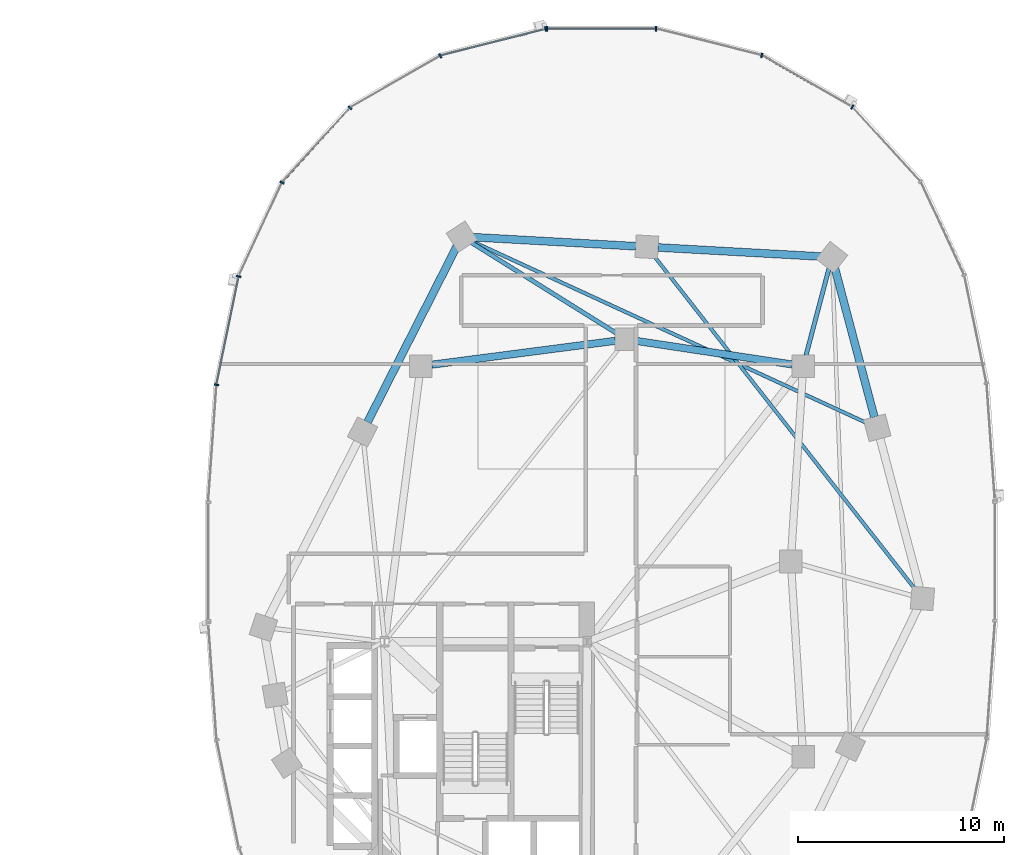
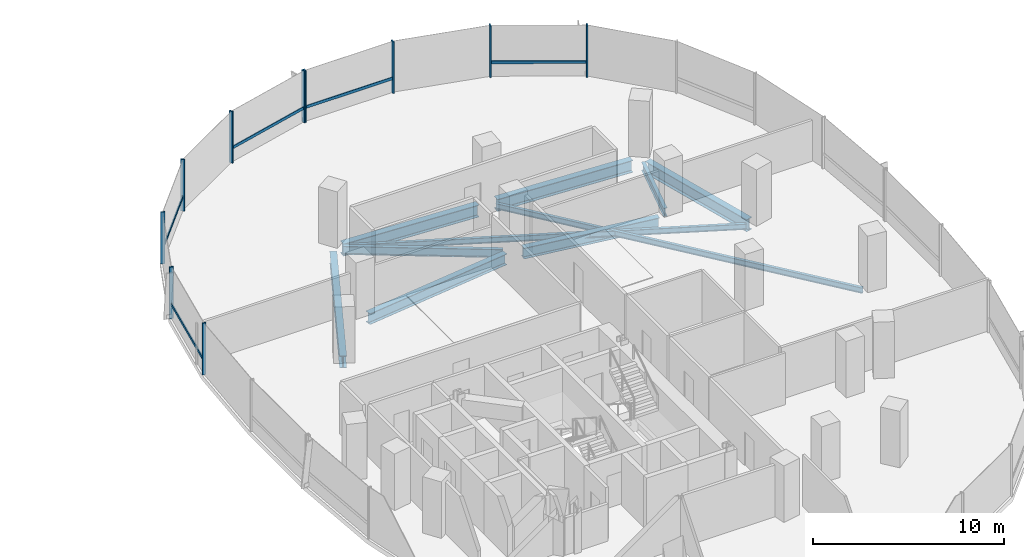
# One storey, part 7 of 21: 15 members, 10 beams, 2 elements without a shape of their own.
"""IFC4 building model written with IfcOpenShell, lengths in metres."""

from ifc_helpers import new_model, si_unit, direction, frame, origin, origin_2d, place, context, subcontext, project, spatial, rectangle, i_section, extrude, material, material_profile, profile_set, type_object, element, aggregate, save


model = new_model("IFC4")

# Units and contexts
model_context = context("Model", 3, precision=1e-05, world=origin(), true_north=direction((0.0, 1.0)))
body_context = subcontext(model_context, "Body", "Model", "MODEL_VIEW")
ifc_project = project(units=[si_unit("LENGTHUNIT", "METRE"), si_unit("AREAUNIT", "SQUARE_METRE"), si_unit("VOLUMEUNIT", "CUBIC_METRE"), si_unit("PLANEANGLEUNIT", "RADIAN"), si_unit("MASSUNIT", "GRAM", prefix="KILO"), si_unit("THERMODYNAMICTEMPERATUREUNIT", "KELVIN"), si_unit("POWERUNIT", "WATT")], contexts=[model_context])

# Site, building, storey
site_placement = place(None, origin())
site = spatial("IfcSite", under=ifc_project, at=site_placement, CompositionType="ELEMENT")
building_placement = place(site_placement, origin())
building = spatial("IfcBuilding", under=site, at=building_placement, Name="Cundina Bronze Exchange", CompositionType="ELEMENT")
storey_placement = place(building_placement, frame((0.0, 0.0, 103.39990234375)))
storey = spatial("IfcBuildingStorey", under=building, at=storey_placement, Name="L26", CompositionType="ELEMENT", Elevation=103.39990234375)

# Beams
ifc_material_1 = material(Name="Steel ASTM A992 Grade 50", Category="steel")
ifc_material_profile_1 = material_profile(ifc_material_1, i_section(OverallWidth=0.2099609375, OverallDepth=0.532958984375, WebThickness=0.01025390625, FlangeThickness=0.015625, FilletRadius=0.013916015625, at=origin_2d()), Name="W21X62", Category="steel")
ifc_profile_set_1 = profile_set([ifc_material_profile_1], Name="Steel ASTM A992 Grade 50")
beam_type_1 = type_object("IfcBeamType", Name="BM-FLR-W21B", PredefinedType="BEAM", material=ifc_profile_set_1)
beam_1_placement = place(storey_placement, frame((41.9375, 10.020263671875, -0.56640625), z_axis=(0.255357891402, 0.966846599673, 0.0), x_axis=(-0.966846599673, 0.255357891402, 0.0)))
element("IfcBeam", 1, at=beam_1_placement, inside=storey, type_object=beam_type_1, Name="L26 Leg E Chordal Floor Beam 10", PredefinedType="BEAM", context=body_context, shape_type="SweptSolid", body=[
    extrude(i_section(OverallWidth=0.2099609375, OverallDepth=0.532958984375, WebThickness=0.01025390625, FlangeThickness=0.015625, FilletRadius=0.013916015625, at=origin_2d()), origin(), (0.0, 0.0, 1.0), 4.405517578125),
])
beam_2_placement = place(storey_placement, frame((32.743896484375, 11.085205078125, -0.56640625), z_axis=(-0.848003227047, 0.529991063055, 0.0), x_axis=(-0.529991063055, -0.848003227047, 0.0)))
element("IfcBeam", 2, at=beam_2_placement, inside=storey, type_object=beam_type_1, Name="L26 Leg E Chordal Floor Beam 12", PredefinedType="BEAM", context=body_context, shape_type="SweptSolid", body=[
    extrude(i_section(OverallWidth=0.2099609375, OverallDepth=0.532958984375, WebThickness=0.01025390625, FlangeThickness=0.015625, FilletRadius=0.013916015625, at=origin_2d()), origin(), (0.0, 0.0, 1.0), 8.358154296875),
])
ifc_material_profile_2 = material_profile(ifc_material_1, i_section(OverallWidth=0.172119140625, OverallDepth=0.35791015625, WebThickness=0.0078125, FlangeThickness=0.01318359375, FilletRadius=0.010009765625, at=origin_2d()), Name="W14X38", Category="steel")
ifc_profile_set_2 = profile_set([ifc_material_profile_2], Name="Steel ASTM A992 Grade 50")
beam_type_2 = type_object("IfcBeamType", Name="BM-JST-W14", PredefinedType="JOIST", material=ifc_profile_set_2)
beam_3_placement = place(storey_placement, frame((47.268310546875, -1.37646484375, -0.47900390625), z_axis=(-0.616815348306, 0.787107887201, 0.0), x_axis=(-0.787107887201, -0.616815348306, 0.0)))
element("IfcBeam", 3, at=beam_3_placement, inside=storey, type_object=beam_type_2, Name="L26 Leg E Lobe Floor Joist 08-11", PredefinedType="JOIST", context=body_context, shape_type="SweptSolid", body=[
    extrude(i_section(OverallWidth=0.172119140625, OverallDepth=0.35791015625, WebThickness=0.0078125, FlangeThickness=0.01318359375, FilletRadius=0.010009765625, at=origin_2d()), origin(), (0.0, 0.0, 1.0), 20.64892578125),
])
beam_4_placement = place(storey_placement, frame((44.911376953125, 6.72509765625, -0.47900390625), z_axis=(-0.908357076874, 0.41819543385, 0.0), x_axis=(-0.41819543385, -0.908357076874, 0.0)))
element("IfcBeam", 4, at=beam_4_placement, inside=storey, type_object=beam_type_2, Name="L26 Leg E Lobe Floor Joist 09-12", PredefinedType="JOIST", context=body_context, shape_type="SweptSolid", body=[
    extrude(i_section(OverallWidth=0.172119140625, OverallDepth=0.35791015625, WebThickness=0.0078125, FlangeThickness=0.01318359375, FilletRadius=0.010009765625, at=origin_2d()), origin(), (0.0, 0.0, 1.0), 21.162109375),
])
ifc_material_profile_3 = material_profile(ifc_material_1, i_section(OverallWidth=0.35498046875, OverallDepth=0.695068359375, WebThickness=0.015380859375, FlangeThickness=0.02490234375, FilletRadius=0.01806640625, at=origin_2d()), Name="W27X146", Category="steel")
ifc_profile_set_3 = profile_set([ifc_material_profile_3], Name="Steel ASTM A992 Grade 50")
beam_type_3 = type_object("IfcBeamType", Name="BM-RING-W27", PredefinedType="USERDEFINED", material=ifc_profile_set_3)
beam_5_placement = place(storey_placement, frame((41.26806640625, 9.580322265625, -0.6474609375), z_axis=(-0.988767489563, 0.149461873341, 0.0), x_axis=(-0.149461873341, -0.988767489563, 0.0)))
element("IfcBeam", 5, at=beam_5_placement, inside=storey, type_object=beam_type_3, Name="L26 E Inner Structural Ring Girder 05", ObjectType="GIRDER", PredefinedType="USERDEFINED", context=body_context, shape_type="SweptSolid", body=[
    extrude(i_section(OverallWidth=0.35498046875, OverallDepth=0.695068359375, WebThickness=0.015380859375, FlangeThickness=0.02490234375, FilletRadius=0.01806640625, at=origin_2d()), origin(), (0.0, 0.0, 1.0), 7.621826171875),
])
beam_6_placement = place(storey_placement, frame((32.66650390625, 10.730712890625, -0.6474609375), z_axis=(-0.991654577907, -0.128923225666, 0.0), x_axis=(0.128923225666, -0.991654577907, 0.0)))
element("IfcBeam", 6, at=beam_6_placement, inside=storey, type_object=beam_type_3, Name="L26 E Inner Structural Ring Girder 06", ObjectType="GIRDER", PredefinedType="USERDEFINED", context=body_context, shape_type="SweptSolid", body=[
    extrude(i_section(OverallWidth=0.35498046875, OverallDepth=0.695068359375, WebThickness=0.015380859375, FlangeThickness=0.02490234375, FilletRadius=0.01806640625, at=origin_2d()), origin(), (0.0, 0.0, 1.0), 9.00830078125),
])
ifc_material_profile_4 = material_profile(ifc_material_1, i_section(OverallWidth=0.381103515625, OverallDepth=0.77294921875, WebThickness=0.0166015625, FlangeThickness=0.027099609375, FilletRadius=0.01904296875, at=origin_2d()), Name="W30X173", Category="steel")
ifc_profile_set_4 = profile_set([ifc_material_profile_4], Name="Steel ASTM A992 Grade 50")
beam_type_4 = type_object("IfcBeamType", Name="BM-RING-W30", PredefinedType="USERDEFINED", material=ifc_profile_set_4)
beam_7_placement = place(storey_placement, frame((45.26220703125, 7.02001953125, -0.6865234375), z_axis=(-0.256209719931, 0.966621218168, 0.0), x_axis=(-0.966621218168, -0.256209719931, 0.0)))
element("IfcBeam", 7, at=beam_7_placement, inside=storey, type_object=beam_type_4, Name="L26 E Perimeter Ring Girder 09", ObjectType="GIRDER", PredefinedType="USERDEFINED", context=body_context, shape_type="SweptSolid", body=[
    extrude(i_section(OverallWidth=0.381103515625, OverallDepth=0.77294921875, WebThickness=0.0166015625, FlangeThickness=0.027099609375, FilletRadius=0.01904296875, at=origin_2d()), origin(), (0.0, 0.0, 1.0), 7.5107421875),
])
for number, where, z_axis, x_axis, name in (
    (8, (42.662841796875, 14.829833984375, -0.6865234375), (-0.99845950136, 0.055485350721, 0.0), (-0.055485350721, -0.99845950136, 0.0), "L26 E Perimeter Ring Girder 10"),
    (9, (33.662841796875, 15.329833984375, -0.6865234375), (-0.99845950136, 0.055485350721, 0.0), (-0.055485350721, -0.99845950136, 0.0), "L26 E Perimeter Ring Girder 11"),
):
    element("IfcBeam", number, at=place(storey_placement, frame(where, z_axis=z_axis, x_axis=x_axis)), inside=storey, type_object=beam_type_4, Name=name, ObjectType="GIRDER", PredefinedType="USERDEFINED", context=body_context, shape_type="SweptSolid", body=[
        extrude(i_section(OverallWidth=0.381103515625, OverallDepth=0.77294921875, WebThickness=0.0166015625, FlangeThickness=0.027099609375, FilletRadius=0.01904296875, at=origin_2d()), origin(), (0.0, 0.0, 1.0), 7.937744140625),
    ])
beam_8_placement = place(storey_placement, frame((24.956298828125, 15.3203125, -0.6865234375), z_axis=(-0.452832332744, -0.891595692241, 0.0), x_axis=(0.891595692241, -0.452832332744, 0.0)))
element("IfcBeam", 10, at=beam_8_placement, inside=storey, type_object=beam_type_4, Name="L26 E Perimeter Ring Girder 12", ObjectType="GIRDER", PredefinedType="USERDEFINED", context=body_context, shape_type="SweptSolid", body=[
    extrude(i_section(OverallWidth=0.381103515625, OverallDepth=0.77294921875, WebThickness=0.0166015625, FlangeThickness=0.027099609375, FilletRadius=0.01904296875, at=origin_2d()), origin(), (0.0, 0.0, 1.0), 9.578857421875),
])

# Curtain wall, members
ifc_material_2 = material(Name="Anodised Bronze Aluminium 6063-T6", Category="aluminium")
curtain_wall_type = type_object("IfcCurtainWallType", Name="CWS-TRD-MID", PredefinedType="NOTDEFINED", material=ifc_material_2)
curtain_wall_1_placement = place(storey_placement, origin())
curtain_wall_1 = element("IfcCurtainWall", 11, at=curtain_wall_1_placement, inside=storey, type_object=curtain_wall_type, Name="L26 CW-03 Curtain Wall Run CWR-L26-E1", PredefinedType="NOTDEFINED")
ifc_material_profile_5 = material_profile(ifc_material_2, rectangle(XDim=0.074951171875, YDim=0.219970703125, at=origin_2d()), Name="AL75X220", Category="aluminium")
ifc_profile_set_5 = profile_set([ifc_material_profile_5], Name="Anodised Bronze Aluminium 6063-T6")
member_type_1 = type_object("IfcMemberType", Name="CWM-MUL-220", PredefinedType="MULLION", material=ifc_profile_set_5)
member_1_placement = place(storey_placement, frame((44.189697265625, 22.097412109375, 0.0), z_axis=(0.0, 0.0, 1.0), x_axis=(-0.867070701164, 0.498185105339, 0.0)))
member_1 = element("IfcMember", 12, at=member_1_placement, type_object=member_type_1, Name="CW-03 Mullion 5", PredefinedType="MULLION", context=body_context, shape_type="SweptSolid", body=[
    extrude(rectangle(XDim=0.074951171875, YDim=0.219970703125, at=origin_2d()), origin(), (0.0, 0.0, 1.0), 3.300048828125),
])
member_2_placement = place(storey_placement, frame((39.78515625, 24.61669921875, 0.0), z_axis=(0.0, 0.0, 1.0), x_axis=(-0.969488149345, 0.245138182011, 0.0)))
member_2 = element("IfcMember", 13, at=member_2_placement, type_object=member_type_1, Name="CW-03 Mullion 6", PredefinedType="MULLION", context=body_context, shape_type="SweptSolid", body=[
    extrude(rectangle(XDim=0.074951171875, YDim=0.219970703125, at=origin_2d()), origin(), (0.0, 0.0, 1.0), 3.300048828125),
])
member_3_placement = place(storey_placement, frame((34.654541015625, 25.905029296875, 0.0), z_axis=(0.0, 0.0, 1.0), x_axis=(-1.0, 0.0, 0.0)))
member_3 = element("IfcMember", 14, at=member_3_placement, type_object=member_type_1, Name="CW-03 Mullion 7", PredefinedType="MULLION", context=body_context, shape_type="SweptSolid", body=[
    extrude(rectangle(XDim=0.074951171875, YDim=0.219970703125, at=origin_2d()), origin(), (0.0, 0.0, 1.0), 3.300048828125),
])
member_4_placement = place(storey_placement, frame((29.345458984375, 25.905029296875, 0.0), z_axis=(0.0, 0.0, 1.0), x_axis=(-1.0, 0.0, 0.0)))
member_4 = element("IfcMember", 15, at=member_4_placement, type_object=member_type_1, Name="CW-03 End Mullion", PredefinedType="MULLION", context=body_context, shape_type="SweptSolid", body=[
    extrude(rectangle(XDim=0.074951171875, YDim=0.219970703125, at=origin_2d()), origin(), (0.0, 0.0, 1.0), 3.300048828125),
])

curtain_wall_2_placement = place(storey_placement, origin())
curtain_wall_2 = element("IfcCurtainWall", 16, at=curtain_wall_2_placement, inside=storey, type_object=curtain_wall_type, Name="L26 CW-03 Curtain Wall Run CWR-L26-E2", PredefinedType="NOTDEFINED")
member_5_placement = place(storey_placement, frame((29.27392578125, 25.89599609375, 0.0), z_axis=(0.0, 0.0, 1.0), x_axis=(-0.969488149345, -0.245138182011, 0.0)))
member_5 = element("IfcMember", 17, at=member_5_placement, type_object=member_type_1, Name="CW-03 Mullion 1", PredefinedType="MULLION", context=body_context, shape_type="SweptSolid", body=[
    extrude(rectangle(XDim=0.074951171875, YDim=0.219970703125, at=origin_2d()), origin(), (0.0, 0.0, 1.0), 3.300048828125),
])
member_6_placement = place(storey_placement, frame((24.151123046875, 24.591064453125, 0.0), z_axis=(0.0, 0.0, 1.0), x_axis=(-0.867070701164, -0.498185105339, 0.0)))
member_6 = element("IfcMember", 18, at=member_6_placement, type_object=member_type_1, Name="CW-03 Mullion 2", PredefinedType="MULLION", context=body_context, shape_type="SweptSolid", body=[
    extrude(rectangle(XDim=0.074951171875, YDim=0.219970703125, at=origin_2d()), origin(), (0.0, 0.0, 1.0), 3.300048828125),
])
member_7_placement = place(storey_placement, frame((19.760498046875, 22.0576171875, 0.0), z_axis=(0.0, 0.0, 1.0), x_axis=(-0.674302387584, -0.738455340626, 0.0)))
member_7 = element("IfcMember", 19, at=member_7_placement, type_object=member_type_1, Name="CW-03 Mullion 3", PredefinedType="MULLION", context=body_context, shape_type="SweptSolid", body=[
    extrude(rectangle(XDim=0.074951171875, YDim=0.219970703125, at=origin_2d()), origin(), (0.0, 0.0, 1.0), 3.300048828125),
])
member_8_placement = place(storey_placement, frame((16.455810546875, 18.423583984375, 0.0), z_axis=(0.0, 0.0, 1.0), x_axis=(-0.42087749791, -0.907117485088, 0.0)))
member_8 = element("IfcMember", 20, at=member_8_placement, type_object=member_type_1, Name="CW-03 Mullion 4", PredefinedType="MULLION", context=body_context, shape_type="SweptSolid", body=[
    extrude(rectangle(XDim=0.074951171875, YDim=0.219970703125, at=origin_2d()), origin(), (0.0, 0.0, 1.0), 3.300048828125),
])
member_9_placement = place(storey_placement, frame((14.348876953125, 13.861328125, 0.0), z_axis=(0.0, 0.0, 1.0), x_axis=(-0.201419845156, -0.979505000486, 0.0)))
member_9 = element("IfcMember", 21, at=member_9_placement, type_object=member_type_1, Name="CW-03 Mullion 5", PredefinedType="MULLION", context=body_context, shape_type="SweptSolid", body=[
    extrude(rectangle(XDim=0.074951171875, YDim=0.219970703125, at=origin_2d()), origin(), (0.0, 0.0, 1.0), 3.300048828125),
])
member_10_placement = place(storey_placement, frame((13.27099609375, 8.591552734375, 0.0), z_axis=(0.0, 0.0, 1.0), x_axis=(-0.070278787473, -0.997527389113, 0.0)))
member_10 = element("IfcMember", 22, at=member_10_placement, type_object=member_type_1, Name="CW-03 Mullion 6", PredefinedType="MULLION", context=body_context, shape_type="SweptSolid", body=[
    extrude(rectangle(XDim=0.074951171875, YDim=0.219970703125, at=origin_2d()), origin(), (0.0, 0.0, 1.0), 3.300048828125),
])

# Member
ifc_material_profile_6 = material_profile(ifc_material_2, rectangle(XDim=0.070068359375, YDim=0.179931640625, at=origin_2d()), Name="AL70X180", Category="aluminium")
ifc_profile_set_6 = profile_set([ifc_material_profile_6], Name="Anodised Bronze Aluminium 6063-T6")
member_type_2 = type_object("IfcMemberType", Name="CWM-TRN-180", PredefinedType="USERDEFINED", material=ifc_profile_set_6)
member_11_placement = place(storey_placement, frame((44.154052734375, 22.117919921875, 0.920166015625), z_axis=(-0.867097475651, 0.498138502546, 0.0), x_axis=(-0.498138502546, -0.867097475651, 0.0)))
member_11 = element("IfcMember", 23, at=member_11_placement, type_object=member_type_2, Name="CW-03 Spandrel Transom 5", ObjectType="TRANSOM", PredefinedType="USERDEFINED", context=body_context, shape_type="SweptSolid", body=[
    extrude(rectangle(XDim=0.070068359375, YDim=0.179931640625, at=origin_2d()), origin(), (0.0, 0.0, 1.0), 5.00634765625),
])

member_12_placement = place(storey_placement, frame((34.61328125, 25.905029296875, 0.920166015625), z_axis=(-1.0, 0.0, 0.0), x_axis=(0.0, -1.0, 0.0)))
member_12 = element("IfcMember", 24, at=member_12_placement, type_object=member_type_2, Name="CW-03 Spandrel Transom 7", ObjectType="TRANSOM", PredefinedType="USERDEFINED", context=body_context, shape_type="SweptSolid", body=[
    extrude(rectangle(XDim=0.070068359375, YDim=0.179931640625, at=origin_2d()), origin(), (0.0, 0.0, 1.0), 5.2265625),
])

aggregate(curtain_wall_1, [member_1, member_11, member_2, member_3, member_4, member_12])

member_13_placement = place(storey_placement, frame((29.23388671875, 25.885986328125, 0.920166015625), z_axis=(-0.969483968866, -0.245154714644, 0.0), x_axis=(0.245154714644, -0.969483968866, 0.0)))
member_13 = element("IfcMember", 25, at=member_13_placement, type_object=member_type_2, Name="CW-03 Spandrel Transom 1", ObjectType="TRANSOM", PredefinedType="USERDEFINED", context=body_context, shape_type="SweptSolid", body=[
    extrude(rectangle(XDim=0.070068359375, YDim=0.179931640625, at=origin_2d()), origin(), (0.0, 0.0, 1.0), 5.21826171875),
])

member_14_placement = place(storey_placement, frame((19.73291015625, 22.027099609375, 0.920166015625), z_axis=(-0.674302794847, -0.738454968743, 0.0), x_axis=(0.738454968743, -0.674302794847, 0.0)))
member_14 = element("IfcMember", 26, at=member_14_placement, type_object=member_type_2, Name="CW-03 Spandrel Transom 3", ObjectType="TRANSOM", PredefinedType="USERDEFINED", context=body_context, shape_type="SweptSolid", body=[
    extrude(rectangle(XDim=0.070068359375, YDim=0.179931640625, at=origin_2d()), origin(), (0.0, 0.0, 1.0), 4.848388671875),
])

member_15_placement = place(storey_placement, frame((14.340576171875, 13.821044921875, 0.920166015625), z_axis=(-0.201427712708, -0.979503382615, 0.0), x_axis=(0.979503382615, -0.201427712708, 0.0)))
member_15 = element("IfcMember", 27, at=member_15_placement, type_object=member_type_2, Name="CW-03 Spandrel Transom 5", ObjectType="TRANSOM", PredefinedType="USERDEFINED", context=body_context, shape_type="SweptSolid", body=[
    extrude(rectangle(XDim=0.070068359375, YDim=0.179931640625, at=origin_2d()), origin(), (0.0, 0.0, 1.0), 5.291748046875),
])

aggregate(curtain_wall_2, [member_5, member_13, member_6, member_7, member_14, member_8, member_9, member_15, member_10])

save(model, "model.ifc")
